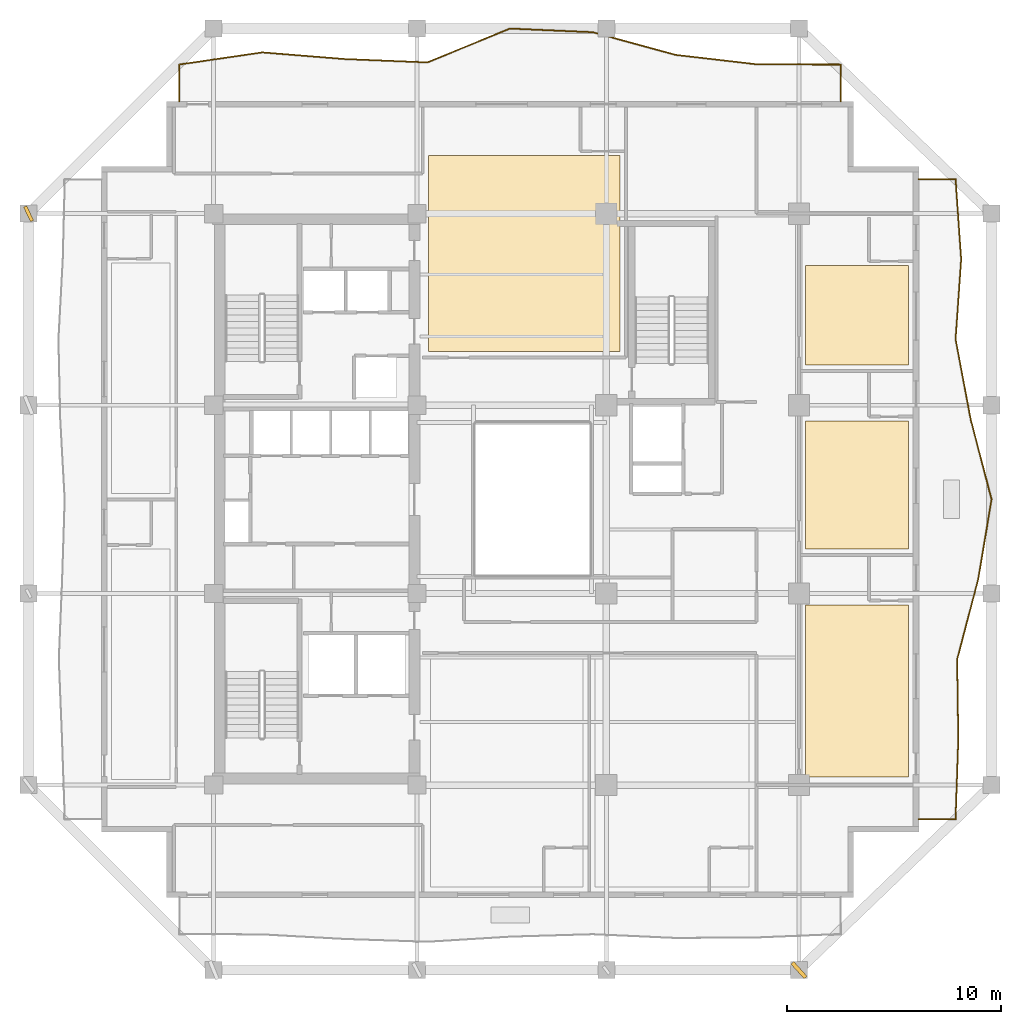
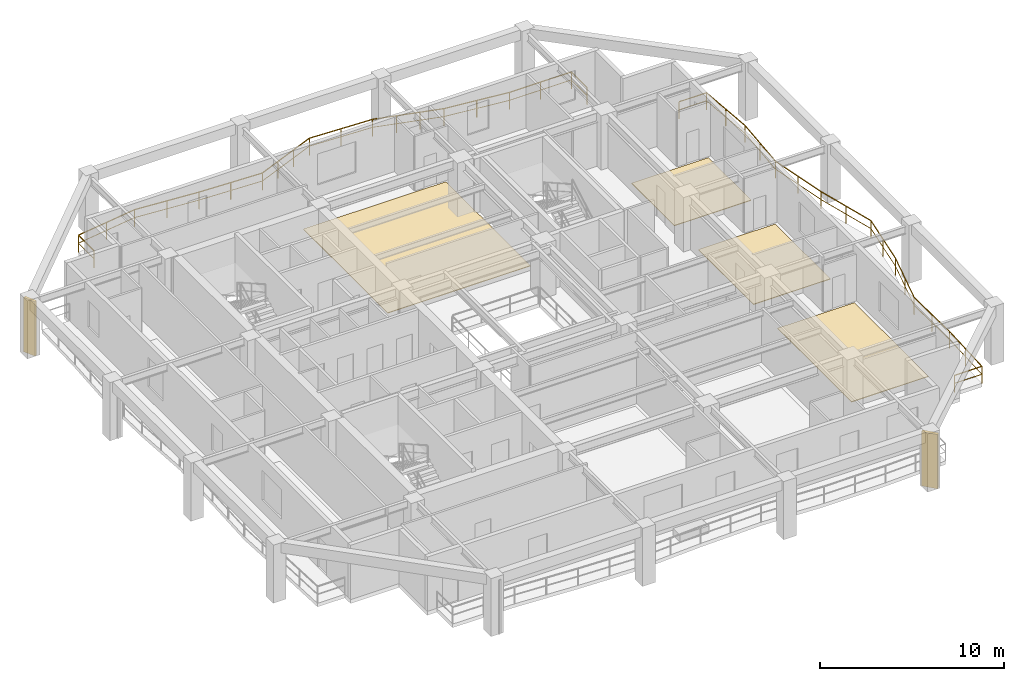
# One storey, part 10 of 11: 4 coverings, 2 railings, 2 shading devices.
"""IFC4 building model written with IfcOpenShell, lengths in metres."""

from ifc_helpers import new_model, si_unit, direction, frame, origin, origin_2d, place, context, subcontext, project, spatial, polyline, rectangle, outline, extrude, material, layer, layer_set, type_object, element, save


model = new_model("IFC4")

# Units and contexts
model_context = context("Model", 3, precision=1e-05, world=origin(), true_north=direction((0.0, 1.0)))
body_context = subcontext(model_context, "Body", "Model", "MODEL_VIEW")
ifc_project = project(units=[si_unit("LENGTHUNIT", "METRE"), si_unit("AREAUNIT", "SQUARE_METRE"), si_unit("VOLUMEUNIT", "CUBIC_METRE"), si_unit("PLANEANGLEUNIT", "RADIAN"), si_unit("MASSUNIT", "GRAM", prefix="KILO")], contexts=[model_context])

# Site, building, storey
site_placement = place(None, origin())
site = spatial("IfcSite", under=ifc_project, at=site_placement, CompositionType="ELEMENT")
building_placement = place(site_placement, origin())
building = spatial("IfcBuilding", under=site, at=building_placement, Name="Kundavana Baori Tower", CompositionType="ELEMENT")
storey_placement = place(building_placement, frame((0.0, 0.0, 123.25)))
storey = spatial("IfcBuildingStorey", under=building, at=storey_placement, Name="L29", CompositionType="ELEMENT", Elevation=123.25)

# Coverings
ifc_material_1 = material(Name="Honed Kota Stone and Terrazzo Flooring", Category="masonry")
ifc_layer = layer(ifc_material_1, 0.0400390625, Name="COV-FLR-TERR-40")
ifc_layer_set = layer_set([ifc_layer], Name="Honed Kota Stone and Terrazzo Flooring")
covering_type = type_object("IfcCoveringType", Name="COV-FLR-TERR-40", PredefinedType="FLOORING", material=ifc_layer_set)
covering_1_placement = place(storey_placement, origin())
element("IfcCovering", 1, at=covering_1_placement, inside=storey, type_object=covering_type, Name="L29 Room Finished Stone Flooring 5", PredefinedType="FLOORING", context=body_context, shape_type="SweptSolid", body=[
    extrude(outline(polyline([(43.10009765625, 15.6298828125), (47.919921875, 15.6298828125), (47.919921875, 23.669921875), (43.10009765625, 23.669921875), (43.10009765625, 15.6298828125)])), origin(), (0.0, 0.0, 1.0), 0.0400390625),
])
covering_2_placement = place(storey_placement, origin())
element("IfcCovering", 2, at=covering_2_placement, inside=storey, type_object=covering_type, Name="L29 Room Finished Stone Flooring 6", PredefinedType="FLOORING", context=body_context, shape_type="SweptSolid", body=[
    extrude(outline(polyline([(43.10009765625, 26.280029296875), (47.919921875, 26.280029296875), (47.919921875, 32.27001953125), (43.10009765625, 32.27001953125), (43.10009765625, 26.280029296875)])), origin(), (0.0, 0.0, 1.0), 0.0400390625),
])
covering_3_placement = place(storey_placement, origin())
element("IfcCovering", 3, at=covering_3_placement, inside=storey, type_object=covering_type, Name="L29 Room Finished Stone Flooring 7", PredefinedType="FLOORING", context=body_context, shape_type="SweptSolid", body=[
    extrude(outline(polyline([(43.10009765625, 34.8798828125), (47.919921875, 34.8798828125), (47.919921875, 39.52001953125), (43.10009765625, 39.52001953125), (43.10009765625, 34.8798828125)])), origin(), (0.0, 0.0, 1.0), 0.0400390625),
])
covering_4_placement = place(storey_placement, origin())
element("IfcCovering", 4, at=covering_4_placement, inside=storey, type_object=covering_type, Name="L29 Room Finished Stone Flooring 8", PredefinedType="FLOORING", context=body_context, shape_type="SweptSolid", body=[
    extrude(outline(polyline([(25.5, 35.5), (34.43994140625, 35.5), (34.43994140625, 44.669921875), (25.5, 44.669921875), (25.5, 35.5)])), origin(), (0.0, 0.0, 1.0), 0.0400390625),
])

# Railings
ifc_material_2 = material(Name="Architectural Patinated Bronze Metalwork")
railing_type = type_object("IfcRailingType", Name="RL-BAL-1150", PredefinedType="BALUSTRADE", material=ifc_material_2)
railing_1_placement = place(storey_placement, frame((48.39990234375, 43.550048828125, 0.0)))
element("IfcRailing", 5, at=railing_1_placement, inside=storey, type_object=railing_type, Name="L29 Loggia Balcony Balustrade E", PredefinedType="BALUSTRADE", context=body_context, shape_type="SweptSolid", body=[
    extrude(rectangle(XDim=0.048095703125, YDim=0.048095703125, at=origin_2d()), frame((0.0, 0.0, 1.1259765625), z_axis=(1.0, 0.0, 0.0), x_axis=(0.0, 1.0, 0.0)), (0.0, 0.0, 1.0), 1.72021484375),
    extrude(rectangle(XDim=0.03125, YDim=0.03125, at=origin_2d()), frame((0.0, 0.0, 0.597900390625), z_axis=(1.0, 0.0, 0.0), x_axis=(0.0, 1.0, 0.0)), (0.0, 0.0, 1.0), 1.72021484375),
    extrude(rectangle(XDim=0.048095703125, YDim=0.048095703125, at=origin_2d()), frame((1.72021484375, 0.0, 1.1259765625), z_axis=(0.069908874569, -0.997553381658, 0.0), x_axis=(0.997553381658, 0.069908874569, 0.0)), (0.0, 0.0, 1.0), 3.747314453125),
    extrude(rectangle(XDim=0.03125, YDim=0.03125, at=origin_2d()), frame((1.72021484375, 0.0, 0.597900390625), z_axis=(0.069908874569, -0.997553381658, 0.0), x_axis=(0.997553381658, 0.069908874569, 0.0)), (0.0, 0.0, 1.0), 3.747314453125),
    extrude(rectangle(XDim=0.048095703125, YDim=0.048095703125, at=origin_2d()), frame((1.982177734375, -3.738037109375, 1.1259765625), z_axis=(-0.069667642632, -0.997570257962, 0.0), x_axis=(0.997570257962, -0.069667642632, 0.0)), (0.0, 0.0, 1.0), 3.74609375),
    extrude(rectangle(XDim=0.03125, YDim=0.03125, at=origin_2d()), frame((1.982177734375, -3.738037109375, 0.597900390625), z_axis=(-0.069667642632, -0.997570257962, 0.0), x_axis=(0.997570257962, -0.069667642632, 0.0)), (0.0, 0.0, 1.0), 3.74609375),
    extrude(rectangle(XDim=0.048095703125, YDim=0.048095703125, at=origin_2d()), frame((1.72119140625, -7.47509765625, 1.1259765625), z_axis=(0.185292092866, -0.982683489391, 0.0), x_axis=(0.982683489391, 0.185292092866, 0.0)), (0.0, 0.0, 1.0), 3.803955078125),
    extrude(rectangle(XDim=0.03125, YDim=0.03125, at=origin_2d()), frame((1.72119140625, -7.47509765625, 0.597900390625), z_axis=(0.185292092866, -0.982683489391, 0.0), x_axis=(0.982683489391, 0.185292092866, 0.0)), (0.0, 0.0, 1.0), 3.803955078125),
    extrude(rectangle(XDim=0.048095703125, YDim=0.048095703125, at=origin_2d()), frame((2.426025390625, -11.213134765625, 1.1259765625), z_axis=(0.252252035609, -0.967661568179, 0.0), x_axis=(0.967661568179, 0.252252035609, 0.0)), (0.0, 0.0, 1.0), 3.86181640625),
    extrude(rectangle(XDim=0.03125, YDim=0.03125, at=origin_2d()), frame((2.426025390625, -11.213134765625, 0.597900390625), z_axis=(0.252252035609, -0.967661568179, 0.0), x_axis=(0.967661568179, 0.252252035609, 0.0)), (0.0, 0.0, 1.0), 3.86181640625),
    extrude(rectangle(XDim=0.048095703125, YDim=0.048095703125, at=origin_2d()), frame((3.400146484375, -14.949951171875, 1.1259765625), z_axis=(-0.164660147873, -0.986350361536, 0.0), x_axis=(0.986350361536, -0.164660147873, 0.0)), (0.0, 0.0, 1.0), 3.789794921875),
    extrude(rectangle(XDim=0.03125, YDim=0.03125, at=origin_2d()), frame((3.400146484375, -14.949951171875, 0.597900390625), z_axis=(-0.164660147873, -0.986350361536, 0.0), x_axis=(0.986350361536, -0.164660147873, 0.0)), (0.0, 0.0, 1.0), 3.789794921875),
    extrude(rectangle(XDim=0.048095703125, YDim=0.048095703125, at=origin_2d()), frame((2.776123046875, -18.68798828125, 1.1259765625), z_axis=(-0.253892955805, -0.967232323174, 0.0), x_axis=(0.967232323174, -0.253892955805, 0.0)), (0.0, 0.0, 1.0), 3.86376953125),
    extrude(rectangle(XDim=0.03125, YDim=0.03125, at=origin_2d()), frame((2.776123046875, -18.68798828125, 0.597900390625), z_axis=(-0.253892955805, -0.967232323174, 0.0), x_axis=(0.967232323174, -0.253892955805, 0.0)), (0.0, 0.0, 1.0), 3.86376953125),
    extrude(rectangle(XDim=0.048095703125, YDim=0.048095703125, at=origin_2d()), frame((1.795166015625, -22.425048828125, 1.1259765625), z_axis=(0.014171393705, -0.999899580758, 0.0), x_axis=(0.999899580758, 0.014171393705, 0.0)), (0.0, 0.0, 1.0), 3.738525390625),
    extrude(rectangle(XDim=0.03125, YDim=0.03125, at=origin_2d()), frame((1.795166015625, -22.425048828125, 0.597900390625), z_axis=(0.014171393705, -0.999899580758, 0.0), x_axis=(0.999899580758, 0.014171393705, 0.0)), (0.0, 0.0, 1.0), 3.738525390625),
    extrude(rectangle(XDim=0.048095703125, YDim=0.048095703125, at=origin_2d()), frame((1.84814453125, -26.1630859375, 1.1259765625), z_axis=(-0.034212663327, -0.999414575473, 0.0), x_axis=(0.999414575473, -0.034212663327, 0.0)), (0.0, 0.0, 1.0), 3.7392578125),
    extrude(rectangle(XDim=0.03125, YDim=0.03125, at=origin_2d()), frame((1.84814453125, -26.1630859375, 0.597900390625), z_axis=(-0.034212663327, -0.999414575473, 0.0), x_axis=(0.999414575473, -0.034212663327, 0.0)), (0.0, 0.0, 1.0), 3.7392578125),
    extrude(rectangle(XDim=0.048095703125, YDim=0.048095703125, at=origin_2d()), frame((1.72021484375, -29.900146484375, 1.1259765625), z_axis=(-1.0, 0.0, 0.0), x_axis=(0.0, -1.0, 0.0)), (0.0, 0.0, 1.0), 1.72021484375),
    extrude(rectangle(XDim=0.03125, YDim=0.03125, at=origin_2d()), frame((1.72021484375, -29.900146484375, 0.597900390625), z_axis=(-1.0, 0.0, 0.0), x_axis=(0.0, -1.0, 0.0)), (0.0, 0.0, 1.0), 1.72021484375),
    extrude(rectangle(XDim=0.0419921875, YDim=0.0419921875, at=origin_2d()), origin(), (0.0, 0.0, 1.0), 1.101806640625),
    extrude(rectangle(XDim=0.0419921875, YDim=0.0419921875, at=origin_2d()), frame((1.72021484375, 0.0, 0.0)), (0.0, 0.0, 1.0), 1.101806640625),
    extrude(rectangle(XDim=0.0419921875, YDim=0.0419921875, at=origin_2d()), frame((1.85107421875, -1.869140625, 0.0)), (0.0, 0.0, 1.0), 1.101806640625),
    extrude(rectangle(XDim=0.0419921875, YDim=0.0419921875, at=origin_2d()), frame((1.982177734375, -3.738037109375, 0.0)), (0.0, 0.0, 1.0), 1.101806640625),
    extrude(rectangle(XDim=0.0419921875, YDim=0.0419921875, at=origin_2d()), frame((1.8515625, -5.6064453125, 0.0)), (0.0, 0.0, 1.0), 1.101806640625),
    extrude(rectangle(XDim=0.0419921875, YDim=0.0419921875, at=origin_2d()), frame((1.72119140625, -7.47509765625, 0.0)), (0.0, 0.0, 1.0), 1.101806640625),
    extrude(rectangle(XDim=0.0419921875, YDim=0.0419921875, at=origin_2d()), frame((2.07373046875, -9.34423828125, 0.0)), (0.0, 0.0, 1.0), 1.101806640625),
    extrude(rectangle(XDim=0.0419921875, YDim=0.0419921875, at=origin_2d()), frame((2.426025390625, -11.213134765625, 0.0)), (0.0, 0.0, 1.0), 1.101806640625),
    extrude(rectangle(XDim=0.0419921875, YDim=0.0419921875, at=origin_2d()), frame((2.9130859375, -13.08154296875, 0.0)), (0.0, 0.0, 1.0), 1.101806640625),
    extrude(rectangle(XDim=0.0419921875, YDim=0.0419921875, at=origin_2d()), frame((3.400146484375, -14.949951171875, 0.0)), (0.0, 0.0, 1.0), 1.101806640625),
    extrude(rectangle(XDim=0.0419921875, YDim=0.0419921875, at=origin_2d()), frame((3.088134765625, -16.81884765625, 0.0)), (0.0, 0.0, 1.0), 1.101806640625),
    extrude(rectangle(XDim=0.0419921875, YDim=0.0419921875, at=origin_2d()), frame((2.776123046875, -18.68798828125, 0.0)), (0.0, 0.0, 1.0), 1.101806640625),
    extrude(rectangle(XDim=0.0419921875, YDim=0.0419921875, at=origin_2d()), frame((2.28564453125, -20.556640625, 0.0)), (0.0, 0.0, 1.0), 1.101806640625),
    extrude(rectangle(XDim=0.0419921875, YDim=0.0419921875, at=origin_2d()), frame((1.795166015625, -22.425048828125, 0.0)), (0.0, 0.0, 1.0), 1.101806640625),
    extrude(rectangle(XDim=0.0419921875, YDim=0.0419921875, at=origin_2d()), frame((1.82177734375, -24.2939453125, 0.0)), (0.0, 0.0, 1.0), 1.101806640625),
    extrude(rectangle(XDim=0.0419921875, YDim=0.0419921875, at=origin_2d()), frame((1.84814453125, -26.1630859375, 0.0)), (0.0, 0.0, 1.0), 1.101806640625),
    extrude(rectangle(XDim=0.0419921875, YDim=0.0419921875, at=origin_2d()), frame((1.7841796875, -28.03173828125, 0.0)), (0.0, 0.0, 1.0), 1.101806640625),
    extrude(rectangle(XDim=0.0419921875, YDim=0.0419921875, at=origin_2d()), frame((1.72021484375, -29.900146484375, 0.0)), (0.0, 0.0, 1.0), 1.101806640625),
    extrude(rectangle(XDim=0.0419921875, YDim=0.0419921875, at=origin_2d()), frame((0.0, -29.900146484375, 0.0)), (0.0, 0.0, 1.0), 1.101806640625),
])
railing_2_placement = place(storey_placement, frame((13.85009765625, 47.199951171875, 0.0)))
element("IfcRailing", 6, at=railing_2_placement, inside=storey, type_object=railing_type, Name="L29 Loggia Balcony Balustrade N", PredefinedType="BALUSTRADE", context=body_context, shape_type="SweptSolid", body=[
    extrude(rectangle(XDim=0.048095703125, YDim=0.048095703125, at=origin_2d()), frame((0.0, 0.0, 1.1259765625), z_axis=(0.0, 1.0, 0.0), x_axis=(-1.0, 0.0, 0.0)), (0.0, 0.0, 1.0), 1.719970703125),
    extrude(rectangle(XDim=0.03125, YDim=0.03125, at=origin_2d()), frame((0.0, 0.0, 0.597900390625), z_axis=(0.0, 1.0, 0.0), x_axis=(-1.0, 0.0, 0.0)), (0.0, 0.0, 1.0), 1.719970703125),
    extrude(rectangle(XDim=0.048095703125, YDim=0.048095703125, at=origin_2d()), frame((0.0, 1.719970703125, 1.1259765625), z_axis=(0.989351719659, 0.145544408373, 0.0), x_axis=(-0.145544408373, 0.989351719659, 0.0)), (0.0, 0.0, 1.0), 3.9033203125),
    extrude(rectangle(XDim=0.03125, YDim=0.03125, at=origin_2d()), frame((0.0, 1.719970703125, 0.597900390625), z_axis=(0.989351719659, 0.145544408373, 0.0), x_axis=(-0.145544408373, 0.989351719659, 0.0)), (0.0, 0.0, 1.0), 3.9033203125),
    extrude(rectangle(XDim=0.048095703125, YDim=0.048095703125, at=origin_2d()), frame((3.86181640625, 2.2880859375, 1.1259765625), z_axis=(0.996774285873, -0.080255984339, 0.0), x_axis=(0.080255984339, 0.996774285873, 0.0)), (0.0, 0.0, 1.0), 3.87548828125),
    extrude(rectangle(XDim=0.03125, YDim=0.03125, at=origin_2d()), frame((3.86181640625, 2.2880859375, 0.597900390625), z_axis=(0.996774285873, -0.080255984339, 0.0), x_axis=(0.080255984339, 0.996774285873, 0.0)), (0.0, 0.0, 1.0), 3.87548828125),
    extrude(rectangle(XDim=0.048095703125, YDim=0.048095703125, at=origin_2d()), frame((7.724853515625, 1.97705078125, 1.1259765625), z_axis=(0.99917533642, -0.040603535443, 0.0), x_axis=(0.040603535443, 0.99917533642, 0.0)), (0.0, 0.0, 1.0), 3.8662109375),
    extrude(rectangle(XDim=0.03125, YDim=0.03125, at=origin_2d()), frame((7.724853515625, 1.97705078125, 0.597900390625), z_axis=(0.99917533642, -0.040603535443, 0.0), x_axis=(0.040603535443, 0.99917533642, 0.0)), (0.0, 0.0, 1.0), 3.8662109375),
    extrude(rectangle(XDim=0.048095703125, YDim=0.048095703125, at=origin_2d()), frame((11.587890625, 1.820068359375, 1.1259765625), z_axis=(0.925534839958, 0.378662461863, 0.0), x_axis=(-0.378662461863, 0.925534839958, 0.0)), (0.0, 0.0, 1.0), 4.1728515625),
    extrude(rectangle(XDim=0.03125, YDim=0.03125, at=origin_2d()), frame((11.587890625, 1.820068359375, 0.597900390625), z_axis=(0.925534839958, 0.378662461863, 0.0), x_axis=(-0.378662461863, 0.925534839958, 0.0)), (0.0, 0.0, 1.0), 4.1728515625),
    extrude(rectangle(XDim=0.048095703125, YDim=0.048095703125, at=origin_2d()), frame((15.449951171875, 3.400146484375, 1.1259765625), z_axis=(0.99903121715, -0.044007126231, 0.0), x_axis=(0.044007126231, 0.99903121715, 0.0)), (0.0, 0.0, 1.0), 3.86669921875),
    extrude(rectangle(XDim=0.03125, YDim=0.03125, at=origin_2d()), frame((15.449951171875, 3.400146484375, 0.597900390625), z_axis=(0.99903121715, -0.044007126231, 0.0), x_axis=(0.044007126231, 0.99903121715, 0.0)), (0.0, 0.0, 1.0), 3.86669921875),
    extrude(rectangle(XDim=0.048095703125, YDim=0.048095703125, at=origin_2d()), frame((19.31298828125, 3.22998046875, 1.1259765625), z_axis=(0.96453126467, -0.263968633503, 0.0), x_axis=(0.263968633503, 0.96453126467, 0.0)), (0.0, 0.0, 1.0), 4.00390625),
    extrude(rectangle(XDim=0.03125, YDim=0.03125, at=origin_2d()), frame((19.31298828125, 3.22998046875, 0.597900390625), z_axis=(0.96453126467, -0.263968633503, 0.0), x_axis=(0.263968633503, 0.96453126467, 0.0)), (0.0, 0.0, 1.0), 4.00390625),
    extrude(rectangle(XDim=0.048095703125, YDim=0.048095703125, at=origin_2d()), frame((23.1748046875, 2.173095703125, 1.1259765625), z_axis=(0.993310395598, -0.115474923668, 0.0), x_axis=(0.115474923668, 0.993310395598, 0.0)), (0.0, 0.0, 1.0), 3.88818359375),
    extrude(rectangle(XDim=0.03125, YDim=0.03125, at=origin_2d()), frame((23.1748046875, 2.173095703125, 0.597900390625), z_axis=(0.993310395598, -0.115474923668, 0.0), x_axis=(0.115474923668, 0.993310395598, 0.0)), (0.0, 0.0, 1.0), 3.88818359375),
    extrude(rectangle(XDim=0.048095703125, YDim=0.048095703125, at=origin_2d()), frame((27.036865234375, 1.72412109375, 1.1259765625), z_axis=(0.999999422849, -0.001074384768, 0.0), x_axis=(0.001074384768, 0.999999422849, 0.0)), (0.0, 0.0, 1.0), 3.863037109375),
    extrude(rectangle(XDim=0.03125, YDim=0.03125, at=origin_2d()), frame((27.036865234375, 1.72412109375, 0.597900390625), z_axis=(0.999999422849, -0.001074384768, 0.0), x_axis=(0.001074384768, 0.999999422849, 0.0)), (0.0, 0.0, 1.0), 3.863037109375),
    extrude(rectangle(XDim=0.048095703125, YDim=0.048095703125, at=origin_2d()), frame((30.89990234375, 1.719970703125, 1.1259765625), z_axis=(0.0, -1.0, 0.0), x_axis=(1.0, 0.0, 0.0)), (0.0, 0.0, 1.0), 1.719970703125),
    extrude(rectangle(XDim=0.03125, YDim=0.03125, at=origin_2d()), frame((30.89990234375, 1.719970703125, 0.597900390625), z_axis=(0.0, -1.0, 0.0), x_axis=(1.0, 0.0, 0.0)), (0.0, 0.0, 1.0), 1.719970703125),
    extrude(rectangle(XDim=0.0419921875, YDim=0.0419921875, at=origin_2d()), origin(), (0.0, 0.0, 1.0), 1.101806640625),
    extrude(rectangle(XDim=0.0419921875, YDim=0.0419921875, at=origin_2d()), frame((0.0, 1.719970703125, 0.0)), (0.0, 0.0, 1.0), 1.101806640625),
    extrude(rectangle(XDim=0.0419921875, YDim=0.0419921875, at=origin_2d()), frame((1.930908203125, 2.00390625, 0.0)), (0.0, 0.0, 1.0), 1.101806640625),
    extrude(rectangle(XDim=0.0419921875, YDim=0.0419921875, at=origin_2d()), frame((3.86181640625, 2.2880859375, 0.0)), (0.0, 0.0, 1.0), 1.101806640625),
    extrude(rectangle(XDim=0.0419921875, YDim=0.0419921875, at=origin_2d()), frame((5.79345703125, 2.132568359375, 0.0)), (0.0, 0.0, 1.0), 1.101806640625),
    extrude(rectangle(XDim=0.0419921875, YDim=0.0419921875, at=origin_2d()), frame((7.724853515625, 1.97705078125, 0.0)), (0.0, 0.0, 1.0), 1.101806640625),
    extrude(rectangle(XDim=0.0419921875, YDim=0.0419921875, at=origin_2d()), frame((9.65625, 1.8984375, 0.0)), (0.0, 0.0, 1.0), 1.101806640625),
    extrude(rectangle(XDim=0.0419921875, YDim=0.0419921875, at=origin_2d()), frame((11.587890625, 1.820068359375, 0.0)), (0.0, 0.0, 1.0), 1.101806640625),
    extrude(rectangle(XDim=0.0419921875, YDim=0.0419921875, at=origin_2d()), frame((12.875244140625, 2.3466796875, 0.0)), (0.0, 0.0, 1.0), 1.101806640625),
    extrude(rectangle(XDim=0.0419921875, YDim=0.0419921875, at=origin_2d()), frame((14.16259765625, 2.87353515625, 0.0)), (0.0, 0.0, 1.0), 1.101806640625),
    extrude(rectangle(XDim=0.0419921875, YDim=0.0419921875, at=origin_2d()), frame((15.449951171875, 3.400146484375, 0.0)), (0.0, 0.0, 1.0), 1.101806640625),
    extrude(rectangle(XDim=0.0419921875, YDim=0.0419921875, at=origin_2d()), frame((17.38134765625, 3.31494140625, 0.0)), (0.0, 0.0, 1.0), 1.101806640625),
    extrude(rectangle(XDim=0.0419921875, YDim=0.0419921875, at=origin_2d()), frame((19.31298828125, 3.22998046875, 0.0)), (0.0, 0.0, 1.0), 1.101806640625),
    extrude(rectangle(XDim=0.0419921875, YDim=0.0419921875, at=origin_2d()), frame((20.600341796875, 2.877685546875, 0.0)), (0.0, 0.0, 1.0), 1.101806640625),
    extrude(rectangle(XDim=0.0419921875, YDim=0.0419921875, at=origin_2d()), frame((21.887451171875, 2.525390625, 0.0)), (0.0, 0.0, 1.0), 1.101806640625),
    extrude(rectangle(XDim=0.0419921875, YDim=0.0419921875, at=origin_2d()), frame((23.1748046875, 2.173095703125, 0.0)), (0.0, 0.0, 1.0), 1.101806640625),
    extrude(rectangle(XDim=0.0419921875, YDim=0.0419921875, at=origin_2d()), frame((25.10595703125, 1.94873046875, 0.0)), (0.0, 0.0, 1.0), 1.101806640625),
    extrude(rectangle(XDim=0.0419921875, YDim=0.0419921875, at=origin_2d()), frame((27.036865234375, 1.72412109375, 0.0)), (0.0, 0.0, 1.0), 1.101806640625),
    extrude(rectangle(XDim=0.0419921875, YDim=0.0419921875, at=origin_2d()), frame((28.96826171875, 1.72216796875, 0.0)), (0.0, 0.0, 1.0), 1.101806640625),
    extrude(rectangle(XDim=0.0419921875, YDim=0.0419921875, at=origin_2d()), frame((30.89990234375, 1.719970703125, 0.0)), (0.0, 0.0, 1.0), 1.101806640625),
    extrude(rectangle(XDim=0.0419921875, YDim=0.0419921875, at=origin_2d()), frame((30.89990234375, 0.0, 0.0)), (0.0, 0.0, 1.0), 1.101806640625),
])

# Shading devices
ifc_material_3 = material(Name="Red-Buff Dholpur Sandstone Cladding on Concrete C40/50", Category="masonry")
shading_device_type_1 = type_object("IfcShadingDeviceType", Name="SHD-FIN-750", PredefinedType="JALOUSIE", material=ifc_material_3)
shading_device_1_placement = place(storey_placement, frame((6.800048828125, 41.949951171875, 0.0), z_axis=(0.0, 0.0, 1.0), x_axis=(0.902133959368, 0.431456045681, 0.0)))
element("IfcShadingDevice", 7, at=shading_device_1_placement, inside=storey, type_object=shading_device_type_1, Name="L29 Sweeping Dholpur Sandstone Facade Fin 8", PredefinedType="JALOUSIE", context=body_context, shape_type="SweptSolid", body=[
    extrude(rectangle(XDim=0.159912109375, YDim=0.75, at=origin_2d()), origin(), (0.0, 0.0, 1.0), 3.60009765625),
])
ifc_material_4 = material(Name="Red-Buff Dholpur Sandstone Cladding on Concrete C40/50", Category="masonry")
shading_device_type_2 = type_object("IfcShadingDeviceType", Name="SHD-FIN-920", PredefinedType="JALOUSIE", material=ifc_material_4)
shading_device_2_placement = place(storey_placement, frame((42.800048828125, 6.60009765625, 0.0), z_axis=(0.0, 0.0, 1.0), x_axis=(0.743144825477, 0.669130606359, 0.0)))
element("IfcShadingDevice", 8, at=shading_device_2_placement, inside=storey, type_object=shading_device_type_2, Name="L29 Sweeping Dholpur Sandstone Facade Fin 4", PredefinedType="JALOUSIE", context=body_context, shape_type="SweptSolid", body=[
    extrude(rectangle(XDim=0.179931640625, YDim=0.919921875, at=origin_2d()), origin(), (0.0, 0.0, 1.0), 3.60009765625),
])

save(model, "model.ifc")
